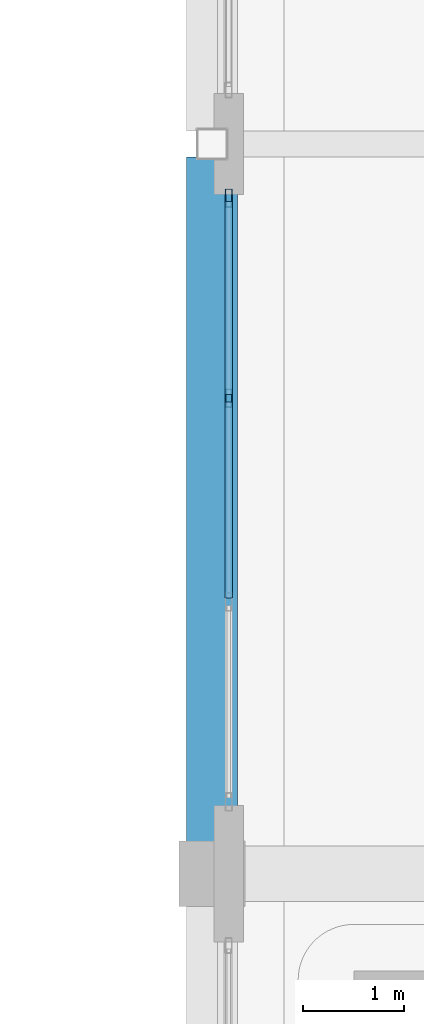
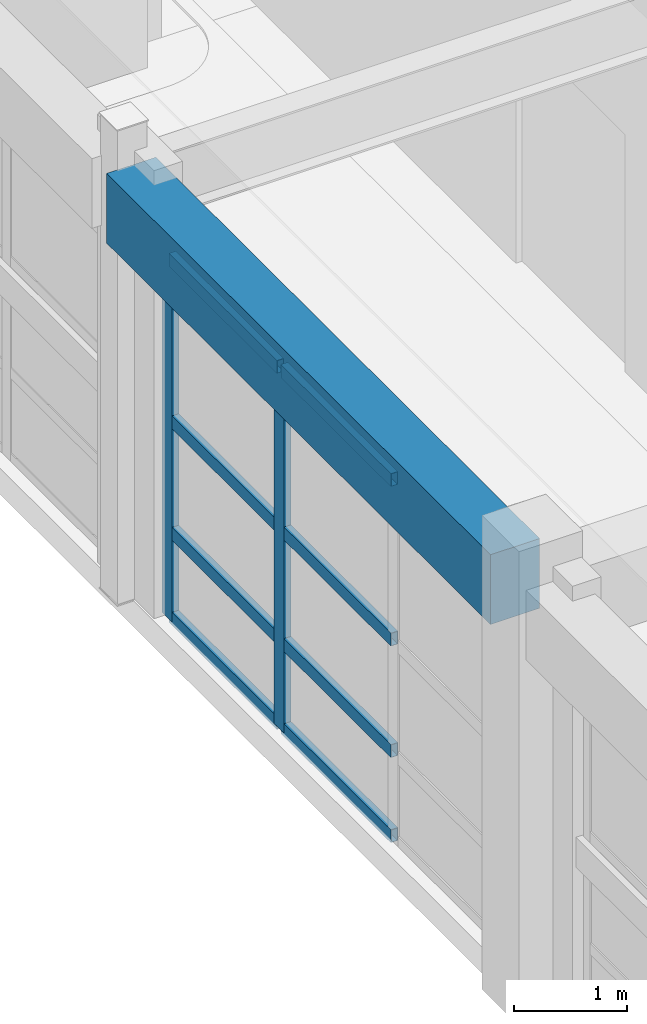
# One storey, part 29 of 78: 10 members, 1 beam, 1 element without a shape of its own.
"""IFC4 building model written with IfcOpenShell, lengths in metres."""

from ifc_helpers import new_model, si_unit, direction, frame, origin, origin_2d, place, context, subcontext, project, spatial, rectangle, hollow_rectangle, extrude, material, layer, layer_set, material_profile, profile_set, type_object, element, aggregate, save


model = new_model("IFC4")

# Units and contexts
model_context = context("Model", 3, precision=1e-05, world=origin(), true_north=direction((0.0, 1.0)))
body_context = subcontext(model_context, "Body", "Model", "MODEL_VIEW")
ifc_project = project(units=[si_unit("LENGTHUNIT", "METRE"), si_unit("AREAUNIT", "SQUARE_METRE"), si_unit("VOLUMEUNIT", "CUBIC_METRE"), si_unit("PLANEANGLEUNIT", "RADIAN"), si_unit("MASSUNIT", "GRAM", prefix="KILO")], contexts=[model_context])

# Site, building, storey
site_placement = place(None, origin())
site = spatial("IfcSite", under=ifc_project, at=site_placement, CompositionType="ELEMENT")
building_placement = place(site_placement, origin())
building = spatial("IfcBuilding", under=site, at=building_placement, Name="Quendrovan Civic Courthouse", CompositionType="ELEMENT")
storey_placement = place(building_placement, frame((0.0, 0.0, 10.199951171875)))
storey = spatial("IfcBuildingStorey", under=building, at=storey_placement, Name="L03", CompositionType="ELEMENT", Elevation=10.199951171875)

# Beam
ifc_material_1 = material(Name="Concrete C40/50", Category="concrete")
ifc_material_profile_1 = material_profile(ifc_material_1, rectangle(XDim=0.5, YDim=0.75, at=origin_2d()), Name="RC-BM-500x750")
ifc_profile_set_1 = profile_set([ifc_material_profile_1], Name="Concrete C40/50")
beam_type = type_object("IfcBeamType", Name="BM-RC750", PredefinedType="SPANDREL", material=ifc_profile_set_1)
beam_placement = place(storey_placement, frame((33.60009765625, 73.5048828125, 4.28515625), z_axis=(0.0, 1.0, 0.0), x_axis=(-1.0, 0.0, 0.0)))
element("IfcBeam", 1, at=beam_placement, inside=storey, type_object=beam_type, Name="L03 Girder Y0823", PredefinedType="SPANDREL", context=body_context, shape_type="SweptSolid", body=[
    extrude(rectangle(XDim=0.5, YDim=0.75, at=origin_2d()), origin(), (0.0, 0.0, 1.0), 6.76513671875),
])

# Curtain wall, members
ifc_material_2 = material(Name="Bronze anodised aluminium and low-E glass", Category="aluminium")
ifc_layer = layer(ifc_material_2, 0.179931640625, Name="Bronze anodised aluminium and low-E glass")
ifc_layer_set = layer_set([ifc_layer], Name="Bronze anodised aluminium and low-E glass")
curtain_wall_type = type_object("IfcCurtainWallType", Name="CW-U60x39", PredefinedType="USERDEFINED", material=ifc_layer_set)
curtain_wall_placement = place(storey_placement, origin())
curtain_wall = element("IfcCurtainWall", 2, at=curtain_wall_placement, inside=storey, type_object=curtain_wall_type, Name="L03 Unitised Hurricane Curtain Wall CW-138", ObjectType="UNITISED CURTAIN WALL", PredefinedType="USERDEFINED")
ifc_material_3 = material(Name="Bronze anodised aluminium", Category="aluminium")
ifc_material_profile_2 = material_profile(ifc_material_3, hollow_rectangle(XDim=0.070068359375, YDim=0.179931640625, WallThickness=0.00390625, at=origin_2d()), Name="CW-MULL-70x180")
ifc_profile_set_2 = profile_set([ifc_material_profile_2], Name="Bronze anodised aluminium")
member_type_1 = type_object("IfcMemberType", Name="CW-MULL-A", PredefinedType="MULLION", material=ifc_profile_set_2)
member_1_placement = place(storey_placement, frame((33.764892578125, 77.8916015625, 0.0), z_axis=(0.0, 0.0, 1.0), x_axis=(-1.0, 0.0, 0.0)))
member_1 = element("IfcMember", 3, at=member_1_placement, type_object=member_type_1, Name="CW-138 mullion 3", PredefinedType="MULLION", context=body_context, shape_type="SweptSolid", body=[
    extrude(hollow_rectangle(XDim=0.070068359375, YDim=0.179931640625, WallThickness=0.00390625, at=origin_2d()), origin(), (0.0, 0.0, 1.0), 3.900146484375),
])
member_2_placement = place(storey_placement, frame((33.764892578125, 79.864990234375, 0.0), z_axis=(0.0, 0.0, 1.0), x_axis=(-1.0, 0.0, 0.0)))
member_2 = element("IfcMember", 4, at=member_2_placement, type_object=member_type_1, Name="CW-138 mullion 4", PredefinedType="MULLION", context=body_context, shape_type="SweptSolid", body=[
    extrude(hollow_rectangle(XDim=0.070068359375, YDim=0.179931640625, WallThickness=0.00390625, at=origin_2d()), origin(), (0.0, 0.0, 1.0), 3.900146484375),
])
ifc_material_profile_3 = material_profile(ifc_material_3, hollow_rectangle(XDim=0.070068359375, YDim=0.139892578125, WallThickness=0.00390625, at=origin_2d()), Name="CW-TRAN-70x140")
ifc_profile_set_3 = profile_set([ifc_material_profile_3], Name="Bronze anodised aluminium")
member_type_2 = type_object("IfcMemberType", Name="CW-TRAN-A", PredefinedType="USERDEFINED", material=ifc_profile_set_3)
member_3_placement = place(storey_placement, frame((33.764892578125, 75.918212890625, 0.03515625), z_axis=(0.0, 1.0, 0.0), x_axis=(-1.0, 0.0, 0.0)))
member_3 = element("IfcMember", 5, at=member_3_placement, type_object=member_type_2, Name="CW-138 transom 2.1", ObjectType="TRANSOM", PredefinedType="USERDEFINED", context=body_context, shape_type="SweptSolid", body=[
    extrude(hollow_rectangle(XDim=0.070068359375, YDim=0.139892578125, WallThickness=0.00390625, at=origin_2d()), origin(), (0.0, 0.0, 1.0), 1.9384765625),
])
member_4_placement = place(storey_placement, frame((33.764892578125, 75.918212890625, 0.949951171875), z_axis=(0.0, 1.0, 0.0), x_axis=(-1.0, 0.0, 0.0)))
member_4 = element("IfcMember", 6, at=member_4_placement, type_object=member_type_2, Name="CW-138 transom 2.2", ObjectType="TRANSOM", PredefinedType="USERDEFINED", context=body_context, shape_type="SweptSolid", body=[
    extrude(hollow_rectangle(XDim=0.070068359375, YDim=0.139892578125, WallThickness=0.00390625, at=origin_2d()), origin(), (0.0, 0.0, 1.0), 1.9384765625),
])
member_5_placement = place(storey_placement, frame((33.764892578125, 75.918212890625, 2.150146484375), z_axis=(0.0, 1.0, 0.0), x_axis=(-1.0, 0.0, 0.0)))
member_5 = element("IfcMember", 7, at=member_5_placement, type_object=member_type_2, Name="CW-138 transom 2.3", ObjectType="TRANSOM", PredefinedType="USERDEFINED", context=body_context, shape_type="SweptSolid", body=[
    extrude(hollow_rectangle(XDim=0.070068359375, YDim=0.139892578125, WallThickness=0.00390625, at=origin_2d()), origin(), (0.0, 0.0, 1.0), 1.9384765625),
])
member_6_placement = place(storey_placement, frame((33.764892578125, 75.918212890625, 3.864990234375), z_axis=(0.0, 1.0, 0.0), x_axis=(-1.0, 0.0, 0.0)))
member_6 = element("IfcMember", 8, at=member_6_placement, type_object=member_type_2, Name="CW-138 transom 2.4", ObjectType="TRANSOM", PredefinedType="USERDEFINED", context=body_context, shape_type="SweptSolid", body=[
    extrude(hollow_rectangle(XDim=0.070068359375, YDim=0.139892578125, WallThickness=0.00390625, at=origin_2d()), origin(), (0.0, 0.0, 1.0), 1.9384765625),
])
member_7_placement = place(storey_placement, frame((33.764892578125, 77.9267578125, 0.03515625), z_axis=(0.0, 1.0, 0.0), x_axis=(-1.0, 0.0, 0.0)))
member_7 = element("IfcMember", 9, at=member_7_placement, type_object=member_type_2, Name="CW-138 transom 3.1", ObjectType="TRANSOM", PredefinedType="USERDEFINED", context=body_context, shape_type="SweptSolid", body=[
    extrude(hollow_rectangle(XDim=0.070068359375, YDim=0.139892578125, WallThickness=0.00390625, at=origin_2d()), origin(), (0.0, 0.0, 1.0), 1.9033203125),
])
member_8_placement = place(storey_placement, frame((33.764892578125, 77.9267578125, 0.949951171875), z_axis=(0.0, 1.0, 0.0), x_axis=(-1.0, 0.0, 0.0)))
member_8 = element("IfcMember", 10, at=member_8_placement, type_object=member_type_2, Name="CW-138 transom 3.2", ObjectType="TRANSOM", PredefinedType="USERDEFINED", context=body_context, shape_type="SweptSolid", body=[
    extrude(hollow_rectangle(XDim=0.070068359375, YDim=0.139892578125, WallThickness=0.00390625, at=origin_2d()), origin(), (0.0, 0.0, 1.0), 1.9033203125),
])
member_9_placement = place(storey_placement, frame((33.764892578125, 77.9267578125, 2.150146484375), z_axis=(0.0, 1.0, 0.0), x_axis=(-1.0, 0.0, 0.0)))
member_9 = element("IfcMember", 11, at=member_9_placement, type_object=member_type_2, Name="CW-138 transom 3.3", ObjectType="TRANSOM", PredefinedType="USERDEFINED", context=body_context, shape_type="SweptSolid", body=[
    extrude(hollow_rectangle(XDim=0.070068359375, YDim=0.139892578125, WallThickness=0.00390625, at=origin_2d()), origin(), (0.0, 0.0, 1.0), 1.9033203125),
])
member_10_placement = place(storey_placement, frame((33.764892578125, 77.9267578125, 3.864990234375), z_axis=(0.0, 1.0, 0.0), x_axis=(-1.0, 0.0, 0.0)))
member_10 = element("IfcMember", 12, at=member_10_placement, type_object=member_type_2, Name="CW-138 transom 3.4", ObjectType="TRANSOM", PredefinedType="USERDEFINED", context=body_context, shape_type="SweptSolid", body=[
    extrude(hollow_rectangle(XDim=0.070068359375, YDim=0.139892578125, WallThickness=0.00390625, at=origin_2d()), origin(), (0.0, 0.0, 1.0), 1.9033203125),
])
aggregate(curtain_wall, [member_1, member_2, member_3, member_4, member_5, member_6, member_7, member_8, member_9, member_10])

save(model, "model.ifc")
